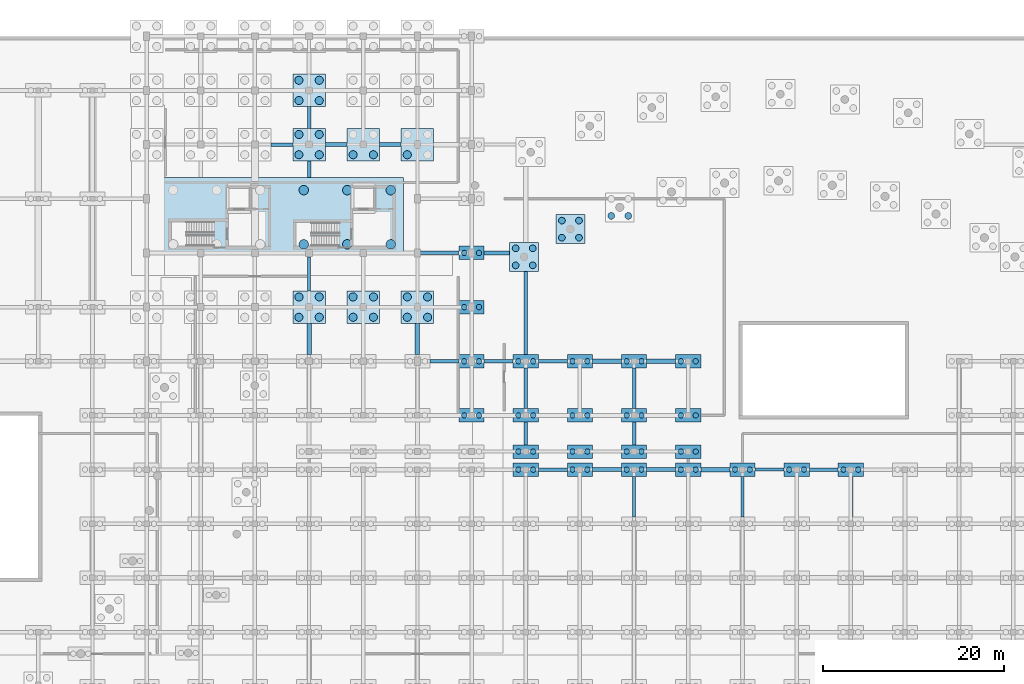
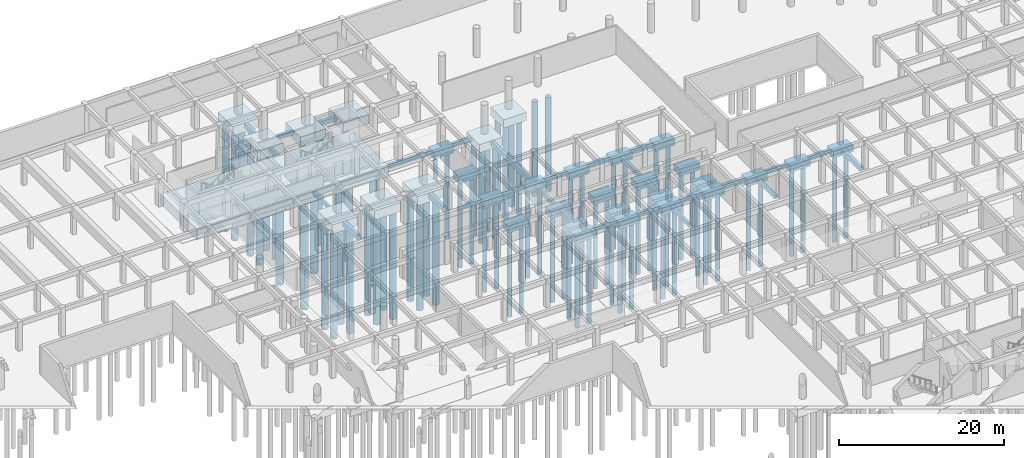
# One storey, part 8 of 41: 85 piles, 62 footings.
"""IFC4 building model written with IfcOpenShell, lengths in metres."""

from ifc_helpers import new_model, si_unit, direction, frame, origin, origin_2d, place, context, subcontext, project, spatial, polyline, rectangle, circle, outline, extrude, material, material_profile, profile_set, type_object, element, save


model = new_model("IFC4")

# Units and contexts
model_context = context("Model", 3, precision=1e-05, world=origin(), true_north=direction((0.0, 1.0)))
body_context = subcontext(model_context, "Body", "Model", "MODEL_VIEW")
ifc_project = project(units=[si_unit("LENGTHUNIT", "METRE"), si_unit("AREAUNIT", "SQUARE_METRE"), si_unit("VOLUMEUNIT", "CUBIC_METRE"), si_unit("PLANEANGLEUNIT", "RADIAN"), si_unit("MASSUNIT", "GRAM", prefix="KILO"), si_unit("POWERUNIT", "WATT"), si_unit("THERMODYNAMICTEMPERATUREUNIT", "KELVIN")], contexts=[model_context])

# Site, building, storey
site_placement = place(None, origin())
site = spatial("IfcSite", under=ifc_project, at=site_placement, CompositionType="ELEMENT")
building_placement = place(site_placement, origin())
building = spatial("IfcBuilding", under=site, at=building_placement, Name="Ruvembo Vaulted Housing Court", CompositionType="ELEMENT")
storey_placement = place(building_placement, frame((0.0, 0.0, -4.5)))
storey = spatial("IfcBuildingStorey", under=building, at=storey_placement, Name="B1", CompositionType="ELEMENT", Elevation=-4.5)

# Footings
ifc_material_1 = material(Name="Concrete C30/37", Category="concrete")
footing_type_1 = type_object("IfcFootingType", Name="GB-350x550", PredefinedType="FOOTING_BEAM", material=ifc_material_1)
footing_1_placement = place(storey_placement, frame((0.0, 0.0, -0.85009765625)))
element("IfcFooting", 1, at=footing_1_placement, inside=storey, type_object=footing_type_1, Name="Ground Tie Beam GB-126", PredefinedType="FOOTING_BEAM", context=body_context, shape_type="SweptSolid", body=[
    extrude(outline(polyline([(115.39990234375, 65.824951171875), (118.60009765625, 65.824951171875), (118.60009765625, 66.175048828125), (115.39990234375, 66.175048828125), (115.39990234375, 65.824951171875)])), origin(), (0.0, 0.0, 1.0), 0.550048828125),
])
footing_2_placement = place(storey_placement, frame((0.0, 0.0, -0.85009765625)))
element("IfcFooting", 2, at=footing_2_placement, inside=storey, type_object=footing_type_1, Name="Ground Tie Beam GB-240", PredefinedType="FOOTING_BEAM", context=body_context, shape_type="SweptSolid", body=[
    extrude(outline(polyline([(65.824951171875, 85.800048828125), (66.175048828125, 85.800048828125), (66.175048828125, 89.550048828125), (65.824951171875, 89.550048828125), (65.824951171875, 85.800048828125)])), origin(), (0.0, 0.0, 1.0), 0.550048828125),
])
footing_3_placement = place(storey_placement, frame((0.0, 0.0, -0.85009765625)))
element("IfcFooting", 3, at=footing_3_placement, inside=storey, type_object=footing_type_1, Name="Ground Tie Beam GB-270", PredefinedType="FOOTING_BEAM", context=body_context, shape_type="SweptSolid", body=[
    extrude(outline(polyline([(101.824951171875, 60.75), (102.175048828125, 60.75), (102.175048828125, 65.25), (101.824951171875, 65.25), (101.824951171875, 60.75)])), origin(), (0.0, 0.0, 1.0), 0.550048828125),
])
footing_4_placement = place(storey_placement, frame((0.0, 0.0, -0.85009765625)))
element("IfcFooting", 4, at=footing_4_placement, inside=storey, type_object=footing_type_1, Name="Ground Tie Beam GB-282", PredefinedType="FOOTING_BEAM", context=body_context, shape_type="SweptSolid", body=[
    extrude(outline(polyline([(113.824951171875, 60.75), (114.175048828125, 60.75), (114.175048828125, 65.25), (113.824951171875, 65.25), (113.824951171875, 60.75)])), origin(), (0.0, 0.0, 1.0), 0.550048828125),
])
footing_type_2 = type_object("IfcFootingType", Name="GB-380x580", PredefinedType="FOOTING_BEAM", material=ifc_material_1)
footing_5_placement = place(storey_placement, frame((0.0, 0.0, -0.8798828125)))
element("IfcFooting", 5, at=footing_5_placement, inside=storey, type_object=footing_type_2, Name="Ground Tie Beam GB-127", PredefinedType="FOOTING_BEAM", context=body_context, shape_type="SweptSolid", body=[
    extrude(outline(polyline([(121.39990234375, 65.81005859375), (124.60009765625, 65.81005859375), (124.60009765625, 66.18994140625), (121.39990234375, 66.18994140625), (121.39990234375, 65.81005859375)])), origin(), (0.0, 0.0, 1.0), 0.579833984375),
])
footing_6_placement = place(storey_placement, frame((0.0, 0.0, -0.8798828125)))
element("IfcFooting", 6, at=footing_6_placement, inside=storey, type_object=footing_type_2, Name="Ground Tie Beam GB-151", PredefinedType="FOOTING_BEAM", context=body_context, shape_type="SweptSolid", body=[
    extrude(outline(polyline([(79.39990234375, 77.81005859375), (82.60009765625, 77.81005859375), (82.60009765625, 78.18994140625), (79.39990234375, 78.18994140625), (79.39990234375, 77.81005859375)])), origin(), (0.0, 0.0, 1.0), 0.579833984375),
])
footing_7_placement = place(storey_placement, frame((0.0, 0.0, -0.8798828125)))
element("IfcFooting", 7, at=footing_7_placement, inside=storey, type_object=footing_type_2, Name="Ground Tie Beam GB-241", PredefinedType="FOOTING_BEAM", context=body_context, shape_type="SweptSolid", body=[
    extrude(outline(polyline([(65.81005859375, 98.35009765625), (66.18994140625, 98.35009765625), (66.18994140625, 100.199951171875), (65.81005859375, 100.199951171875), (65.81005859375, 98.35009765625)])), origin(), (0.0, 0.0, 1.0), 0.579833984375),
])
footing_8_placement = place(storey_placement, frame((0.0, 0.0, -0.8798828125)))
element("IfcFooting", 8, at=footing_8_placement, inside=storey, type_object=footing_type_2, Name="Ground Tie Beam GB-259", PredefinedType="FOOTING_BEAM", context=body_context, shape_type="SweptSolid", body=[
    extrude(outline(polyline([(89.81005859375, 68.75), (90.18994140625, 68.75), (90.18994140625, 71.25), (89.81005859375, 71.25), (89.81005859375, 68.75)])), origin(), (0.0, 0.0, 1.0), 0.579833984375),
])
footing_9_placement = place(storey_placement, frame((0.0, 0.0, -0.8798828125)))
element("IfcFooting", 9, at=footing_9_placement, inside=storey, type_object=footing_type_2, Name="Ground Tie Beam GB-271", PredefinedType="FOOTING_BEAM", context=body_context, shape_type="SweptSolid", body=[
    extrude(outline(polyline([(101.81005859375, 68.75), (102.18994140625, 68.75), (102.18994140625, 71.25), (101.81005859375, 71.25), (101.81005859375, 68.75)])), origin(), (0.0, 0.0, 1.0), 0.579833984375),
])
footing_type_3 = type_object("IfcFootingType", Name="GB-400x600", PredefinedType="FOOTING_BEAM", material=ifc_material_1)
footing_10_placement = place(storey_placement, frame((0.0, 0.0, -0.89990234375)))
element("IfcFooting", 10, at=footing_10_placement, inside=storey, type_object=footing_type_3, Name="Ground Tie Beam GB-122", PredefinedType="FOOTING_BEAM", context=body_context, shape_type="SweptSolid", body=[
    extrude(outline(polyline([(91.39990234375, 65.800048828125), (94.60009765625, 65.800048828125), (94.60009765625, 66.199951171875), (91.39990234375, 66.199951171875), (91.39990234375, 65.800048828125)])), origin(), (0.0, 0.0, 1.0), 0.599853515625),
])
footing_11_placement = place(storey_placement, frame((0.0, 0.0, -0.89990234375)))
element("IfcFooting", 11, at=footing_11_placement, inside=storey, type_object=footing_type_3, Name="Ground Tie Beam GB-152", PredefinedType="FOOTING_BEAM", context=body_context, shape_type="SweptSolid", body=[
    extrude(outline(polyline([(85.39990234375, 77.800048828125), (88.60009765625, 77.800048828125), (88.60009765625, 78.199951171875), (85.39990234375, 78.199951171875), (85.39990234375, 77.800048828125)])), origin(), (0.0, 0.0, 1.0), 0.599853515625),
])
footing_12_placement = place(storey_placement, frame((0.0, 0.0, -0.89990234375)))
element("IfcFooting", 12, at=footing_12_placement, inside=storey, type_object=footing_type_3, Name="Ground Tie Beam GB-164", PredefinedType="FOOTING_BEAM", context=body_context, shape_type="SweptSolid", body=[
    extrude(outline(polyline([(76.449951171875, 89.800048828125), (82.60009765625, 89.800048828125), (82.60009765625, 90.199951171875), (76.449951171875, 90.199951171875), (76.449951171875, 89.800048828125)])), origin(), (0.0, 0.0, 1.0), 0.599853515625),
])
footing_13_placement = place(storey_placement, frame((0.0, 0.0, -0.89990234375)))
element("IfcFooting", 13, at=footing_13_placement, inside=storey, type_object=footing_type_3, Name="Ground Tie Beam GB-170", PredefinedType="FOOTING_BEAM", context=body_context, shape_type="SweptSolid", body=[
    extrude(outline(polyline([(61.800048828125, 101.800048828125), (64.199951171875, 101.800048828125), (64.199951171875, 102.199951171875), (61.800048828125, 102.199951171875), (61.800048828125, 101.800048828125)])), origin(), (0.0, 0.0, 1.0), 0.599853515625),
])
footing_14_placement = place(storey_placement, frame((0.0, 0.0, -0.89990234375)))
element("IfcFooting", 14, at=footing_14_placement, inside=storey, type_object=footing_type_3, Name="Ground Tie Beam GB-242", PredefinedType="FOOTING_BEAM", context=body_context, shape_type="SweptSolid", body=[
    extrude(outline(polyline([(65.800048828125, 103.800048828125), (66.199951171875, 103.800048828125), (66.199951171875, 106.199951171875), (65.800048828125, 106.199951171875), (65.800048828125, 103.800048828125)])), origin(), (0.0, 0.0, 1.0), 0.599853515625),
])
footing_15_placement = place(storey_placement, frame((0.0, 0.0, -0.89990234375)))
element("IfcFooting", 15, at=footing_15_placement, inside=storey, type_object=footing_type_3, Name="Ground Tie Beam GB-260", PredefinedType="FOOTING_BEAM", context=body_context, shape_type="SweptSolid", body=[
    extrude(outline(polyline([(89.800048828125, 72.75), (90.199951171875, 72.75), (90.199951171875, 77.25), (89.800048828125, 77.25), (89.800048828125, 72.75)])), origin(), (0.0, 0.0, 1.0), 0.599853515625),
])
footing_16_placement = place(storey_placement, frame((0.0, 0.0, -0.89990234375)))
element("IfcFooting", 16, at=footing_16_placement, inside=storey, type_object=footing_type_3, Name="Ground Tie Beam GB-272", PredefinedType="FOOTING_BEAM", context=body_context, shape_type="SweptSolid", body=[
    extrude(outline(polyline([(101.800048828125, 72.75), (102.199951171875, 72.75), (102.199951171875, 77.25), (101.800048828125, 77.25), (101.800048828125, 72.75)])), origin(), (0.0, 0.0, 1.0), 0.599853515625),
])
footing_type_4 = type_object("IfcFootingType", Name="GB-420x620", PredefinedType="FOOTING_BEAM", material=ifc_material_1)
footing_17_placement = place(storey_placement, frame((0.0, 0.0, -0.919921875)))
element("IfcFooting", 17, at=footing_17_placement, inside=storey, type_object=footing_type_4, Name="Ground Tie Beam GB-123", PredefinedType="FOOTING_BEAM", context=body_context, shape_type="SweptSolid", body=[
    extrude(outline(polyline([(97.39990234375, 65.7900390625), (100.60009765625, 65.7900390625), (100.60009765625, 66.2099609375), (97.39990234375, 66.2099609375), (97.39990234375, 65.7900390625)])), origin(), (0.0, 0.0, 1.0), 0.619873046875),
])
footing_18_placement = place(storey_placement, frame((0.0, 0.0, -0.919921875)))
element("IfcFooting", 18, at=footing_18_placement, inside=storey, type_object=footing_type_4, Name="Ground Tie Beam GB-153", PredefinedType="FOOTING_BEAM", context=body_context, shape_type="SweptSolid", body=[
    extrude(outline(polyline([(91.39990234375, 77.7900390625), (94.60009765625, 77.7900390625), (94.60009765625, 78.2099609375), (91.39990234375, 78.2099609375), (91.39990234375, 77.7900390625)])), origin(), (0.0, 0.0, 1.0), 0.619873046875),
])
footing_19_placement = place(storey_placement, frame((0.0, 0.0, -0.919921875)))
element("IfcFooting", 19, at=footing_19_placement, inside=storey, type_object=footing_type_4, Name="Ground Tie Beam GB-165", PredefinedType="FOOTING_BEAM", context=body_context, shape_type="SweptSolid", body=[
    extrude(outline(polyline([(85.39990234375, 89.7900390625), (88.2216796875, 89.7900390625), (88.2216796875, 90.2099609375), (85.39990234375, 90.2099609375), (85.39990234375, 89.7900390625)])), origin(), (0.0, 0.0, 1.0), 0.619873046875),
])
footing_20_placement = place(storey_placement, frame((0.0, 0.0, -0.919921875)))
element("IfcFooting", 20, at=footing_20_placement, inside=storey, type_object=footing_type_4, Name="Ground Tie Beam GB-171", PredefinedType="FOOTING_BEAM", context=body_context, shape_type="SweptSolid", body=[
    extrude(outline(polyline([(67.800048828125, 101.7900390625), (70.199951171875, 101.7900390625), (70.199951171875, 102.2099609375), (67.800048828125, 102.2099609375), (67.800048828125, 101.7900390625)])), origin(), (0.0, 0.0, 1.0), 0.619873046875),
])
footing_21_placement = place(storey_placement, frame((0.0, 0.0, -0.919921875)))
element("IfcFooting", 21, at=footing_21_placement, inside=storey, type_object=footing_type_4, Name="Ground Tie Beam GB-261", PredefinedType="FOOTING_BEAM", context=body_context, shape_type="SweptSolid", body=[
    extrude(outline(polyline([(89.7900390625, 78.75), (90.2099609375, 78.75), (90.2099609375, 87.964599609375), (89.7900390625, 87.964599609375), (89.7900390625, 78.75)])), origin(), (0.0, 0.0, 1.0), 0.619873046875),
])
footing_type_5 = type_object("IfcFootingType", Name="GB-450x650", PredefinedType="FOOTING_BEAM", material=ifc_material_1)
footing_22_placement = place(storey_placement, frame((0.0, 0.0, -0.949951171875)))
element("IfcFooting", 22, at=footing_22_placement, inside=storey, type_object=footing_type_5, Name="Ground Tie Beam GB-124", PredefinedType="FOOTING_BEAM", context=body_context, shape_type="SweptSolid", body=[
    extrude(outline(polyline([(103.39990234375, 65.77490234375), (106.60009765625, 65.77490234375), (106.60009765625, 66.22509765625), (103.39990234375, 66.22509765625), (103.39990234375, 65.77490234375)])), origin(), (0.0, 0.0, 1.0), 0.64990234375),
])
footing_23_placement = place(storey_placement, frame((0.0, 0.0, -0.949951171875)))
element("IfcFooting", 23, at=footing_23_placement, inside=storey, type_object=footing_type_5, Name="Ground Tie Beam GB-154", PredefinedType="FOOTING_BEAM", context=body_context, shape_type="SweptSolid", body=[
    extrude(outline(polyline([(97.39990234375, 77.77490234375), (100.60009765625, 77.77490234375), (100.60009765625, 78.22509765625), (97.39990234375, 78.22509765625), (97.39990234375, 77.77490234375)])), origin(), (0.0, 0.0, 1.0), 0.64990234375),
])
footing_24_placement = place(storey_placement, frame((0.0, 0.0, -0.949951171875)))
element("IfcFooting", 24, at=footing_24_placement, inside=storey, type_object=footing_type_5, Name="Ground Tie Beam GB-172", PredefinedType="FOOTING_BEAM", context=body_context, shape_type="SweptSolid", body=[
    extrude(outline(polyline([(73.800048828125, 101.77490234375), (76.199951171875, 101.77490234375), (76.199951171875, 102.22509765625), (73.800048828125, 102.22509765625), (73.800048828125, 101.77490234375)])), origin(), (0.0, 0.0, 1.0), 0.64990234375),
])
footing_25_placement = place(storey_placement, frame((0.0, 0.0, -0.949951171875)))
element("IfcFooting", 25, at=footing_25_placement, inside=storey, type_object=footing_type_5, Name="Ground Tie Beam GB-292", PredefinedType="FOOTING_BEAM", context=body_context, shape_type="SweptSolid", body=[
    extrude(outline(polyline([(125.77490234375, 60.75), (126.22509765625, 60.75), (126.22509765625, 65.25), (125.77490234375, 65.25), (125.77490234375, 60.75)])), origin(), (0.0, 0.0, 1.0), 0.64990234375),
])
footing_type_6 = type_object("IfcFootingType", Name="GB-500x700", PredefinedType="FOOTING_BEAM", material=ifc_material_1)
footing_26_placement = place(storey_placement, frame((0.0, 0.0, -1.0)))
element("IfcFooting", 26, at=footing_26_placement, inside=storey, type_object=footing_type_6, Name="Ground Tie Beam GB-125", PredefinedType="FOOTING_BEAM", context=body_context, shape_type="SweptSolid", body=[
    extrude(outline(polyline([(109.39990234375, 65.75), (112.60009765625, 65.75), (112.60009765625, 66.25), (109.39990234375, 66.25), (109.39990234375, 65.75)])), origin(), (0.0, 0.0, 1.0), 0.699951171875),
])
footing_27_placement = place(storey_placement, frame((0.0, 0.0, -1.0)))
element("IfcFooting", 27, at=footing_27_placement, inside=storey, type_object=footing_type_6, Name="Ground Tie Beam GB-155", PredefinedType="FOOTING_BEAM", context=body_context, shape_type="SweptSolid", body=[
    extrude(outline(polyline([(103.39990234375, 77.75), (106.60009765625, 77.75), (106.60009765625, 78.25), (103.39990234375, 78.25), (103.39990234375, 77.75)])), origin(), (0.0, 0.0, 1.0), 0.699951171875),
])
footing_28_placement = place(storey_placement, frame((0.0, 0.0, -1.0)))
element("IfcFooting", 28, at=footing_28_placement, inside=storey, type_object=footing_type_6, Name="Ground Tie Beam GB-239", PredefinedType="FOOTING_BEAM", context=body_context, shape_type="SweptSolid", body=[
    extrude(outline(polyline([(65.75, 78.75), (66.25, 78.75), (66.25, 82.199951171875), (65.75, 82.199951171875), (65.75, 78.75)])), origin(), (0.0, 0.0, 1.0), 0.699951171875),
])
footing_29_placement = place(storey_placement, frame((0.0, 0.0, -1.0)))
element("IfcFooting", 29, at=footing_29_placement, inside=storey, type_object=footing_type_6, Name="Ground Tie Beam GB-251", PredefinedType="FOOTING_BEAM", context=body_context, shape_type="SweptSolid", body=[
    extrude(outline(polyline([(77.75, 78.75), (78.25, 78.75), (78.25, 82.199951171875), (77.75, 82.199951171875), (77.75, 78.75)])), origin(), (0.0, 0.0, 1.0), 0.699951171875),
])
ifc_material_2 = material(Name="Concrete C35/45", Category="concrete")
footing_type_7 = type_object("IfcFootingType", Name="PC-2P-A", PredefinedType="PILE_CAP", material=ifc_material_2)
for number, where, z_axis, x_axis, name in (
    (30, (84.0, 72.0, -1.300048828125), (0.0, 0.0, 1.0), (1.0, 0.0, 0.0), "Pile Cap PC1 #176"),
    (31, (84.0, 78.0, -1.300048828125), (0.0, 0.0, 1.0), (1.0, 0.0, 0.0), "Pile Cap PC1 #177"),
    (32, (84.0, 84.0, -1.300048828125), (0.0, 0.0, 1.0), (1.0, 0.0, 0.0), "Pile Cap PC1 #178"),
    (33, (84.0, 90.0, -1.300048828125), (0.0, 0.0, 1.0), (1.0, 0.0, 0.0), "Pile Cap PC1 #179"),
    (34, (90.0, 66.0, -1.300048828125), (0.0, 0.0, 1.0), (1.0, 0.0, 0.0), "Pile Cap PC1 #189"),
    (35, (90.0, 68.0, -1.300048828125), (0.0, 0.0, 1.0), (1.0, 0.0, 0.0), "Pile Cap PC1 #190"),
    (36, (90.0, 72.0, -1.300048828125), (0.0, 0.0, 1.0), (1.0, 0.0, 0.0), "Pile Cap PC1 #191"),
    (37, (90.0, 78.0, -1.300048828125), (0.0, 0.0, 1.0), (1.0, 0.0, 0.0), "Pile Cap PC1 #192"),
    (38, (96.0, 66.0, -1.300048828125), (0.0, 0.0, 1.0), (1.0, 0.0, 0.0), "Pile Cap PC1 #198"),
    (39, (96.0, 68.0, -1.300048828125), (0.0, 0.0, 1.0), (1.0, 0.0, 0.0), "Pile Cap PC1 #199"),
    (40, (96.0, 72.0, -1.300048828125), (0.0, 0.0, 1.0), (1.0, 0.0, 0.0), "Pile Cap PC1 #200"),
    (41, (96.0, 78.0, -1.300048828125), (0.0, 0.0, 1.0), (1.0, 0.0, 0.0), "Pile Cap PC1 #201"),
    (42, (102.0, 66.0, -1.300048828125), (0.0, 0.0, 1.0), (1.0, 0.0, 0.0), "Pile Cap PC1 #211"),
    (43, (102.0, 68.0, -1.300048828125), (0.0, 0.0, 1.0), (1.0, 0.0, 0.0), "Pile Cap PC1 #212"),
    (44, (102.0, 72.0, -1.300048828125), (0.0, 0.0, 1.0), (1.0, 0.0, 0.0), "Pile Cap PC1 #213"),
    (45, (102.0, 78.0, -1.300048828125), (0.0, 0.0, 1.0), (1.0, 0.0, 0.0), "Pile Cap PC1 #214"),
    (46, (108.0, 66.0, -1.300048828125), (0.0, 0.0, 1.0), (1.0, 0.0, 0.0), "Pile Cap PC1 #224"),
    (47, (108.0, 68.0, -1.300048828125), (0.0, 0.0, 1.0), (1.0, 0.0, 0.0), "Pile Cap PC1 #225"),
    (48, (108.0, 72.0, -1.300048828125), (0.0, 0.0, 1.0), (1.0, 0.0, 0.0), "Pile Cap PC1 #226"),
    (49, (108.0, 78.0, -1.300048828125), (0.0, 0.0, 1.0), (1.0, 0.0, 0.0), "Pile Cap PC1 #227"),
    (50, (114.0, 66.0, -1.300048828125), (0.0, 0.0, 1.0), (1.0, 0.0, 0.0), "Pile Cap PC1 #237"),
    (51, (120.0, 66.0, -1.300048828125), (0.0, 0.0, 1.0), (1.0, 0.0, 0.0), "Pile Cap PC1 #247"),
    (52, (126.0, 66.0, -1.300048828125), (0.0, 0.0, 1.0), (1.0, 0.0, 0.0), "Pile Cap PC1 #257"),
):
    element("IfcFooting", number, at=place(storey_placement, frame(where, z_axis=z_axis, x_axis=x_axis)), inside=storey, type_object=footing_type_7, Name=name, PredefinedType="PILE_CAP", context=body_context, shape_type="SweptSolid", body=[
        extrude(rectangle(XDim=2.800048828125, YDim=1.5, at=origin_2d()), origin(), (0.0, 0.0, 1.0), 1.0),
    ])
footing_type_8 = type_object("IfcFootingType", Name="PC-4P-A", PredefinedType="PILE_CAP", material=ifc_material_2)
for number, where, z_axis, x_axis, name in (
    (53, (89.82177734375, 89.564453125, -1.5), (0.0, 0.0, 1.0), (1.0, 0.0, 0.0), "Pile Cap PC4 #423"),
    (54, (94.946533203125, 92.6337890625, -1.5), (0.0, 0.0, 1.0), (1.0, 0.0, 0.0), "Pile Cap PC4 #424"),
):
    element("IfcFooting", number, at=place(storey_placement, frame(where, z_axis=z_axis, x_axis=x_axis)), inside=storey, type_object=footing_type_8, Name=name, PredefinedType="PILE_CAP", context=body_context, shape_type="SweptSolid", body=[
        extrude(rectangle(XDim=3.199951171875, YDim=3.199951171875, at=origin_2d()), origin(), (0.0, 0.0, 1.0), 1.199951171875),
    ])
footing_type_9 = type_object("IfcFootingType", Name="PC-4P-C", PredefinedType="PILE_CAP", material=ifc_material_2)
for number, where, z_axis, x_axis, name in (
    (55, (66.0, 84.0, -1.650146484375), (0.0, 0.0, 1.0), (1.0, 0.0, 0.0), "Pile Cap PC6 #141"),
    (56, (66.0, 102.0, -1.650146484375), (0.0, 0.0, 1.0), (1.0, 0.0, 0.0), "Pile Cap PC6 #142"),
    (57, (66.0, 108.0, -1.650146484375), (0.0, 0.0, 1.0), (1.0, 0.0, 0.0), "Pile Cap PC6 #143"),
    (58, (72.0, 84.0, -1.650146484375), (0.0, 0.0, 1.0), (1.0, 0.0, 0.0), "Pile Cap PC6 #153"),
    (59, (72.0, 102.0, -1.650146484375), (0.0, 0.0, 1.0), (1.0, 0.0, 0.0), "Pile Cap PC6 #154"),
    (60, (78.0, 84.0, -1.650146484375), (0.0, 0.0, 1.0), (1.0, 0.0, 0.0), "Pile Cap PC6 #165"),
    (61, (78.0, 102.0, -1.650146484375), (0.0, 0.0, 1.0), (1.0, 0.0, 0.0), "Pile Cap PC6 #166"),
):
    element("IfcFooting", number, at=place(storey_placement, frame(where, z_axis=z_axis, x_axis=x_axis)), inside=storey, type_object=footing_type_9, Name=name, PredefinedType="PILE_CAP", context=body_context, shape_type="SweptSolid", body=[
        extrude(rectangle(XDim=3.60009765625, YDim=3.60009765625, at=origin_2d()), origin(), (0.0, 0.0, 1.0), 1.35009765625),
    ])
footing_type_10 = type_object("IfcFootingType", Name="PC-MAT-B", PredefinedType="PILE_CAP", material=ifc_material_2)
footing_30_placement = place(storey_placement, frame((63.0, 93.949951171875, -1.85009765625), z_axis=(0.0, 0.0, 1.0), x_axis=(1.0, 0.0, 0.0)))
element("IfcFooting", 62, at=footing_30_placement, inside=storey, type_object=footing_type_10, Name="Core Pile Cap PCM-B", PredefinedType="PILE_CAP", context=body_context, shape_type="SweptSolid", body=[
    extrude(rectangle(XDim=26.89990234375, YDim=8.800048828125, at=origin_2d()), origin(), (0.0, 0.0, 1.0), 1.550048828125),
])

# Piles
ifc_material_profile_1 = material_profile(ifc_material_1, circle(Radius=0.52490234375, at=origin_2d()), Name="PILE D1050")
ifc_profile_set_1 = profile_set([ifc_material_profile_1], Name="Concrete C30/37")
pile_type_1 = type_object("IfcPileType", Name="PILE-BORED-1050", PredefinedType="BORED", material=ifc_profile_set_1)
for number, where, z_axis, x_axis, name in (
    (63, (65.409912109375, 90.949951171875, -1.75), (0.0, 0.0, -1.0), (1.0, 0.0, 0.0), "Bored Pile PILE-0019"),
    (64, (65.409912109375, 96.949951171875, -1.75), (0.0, 0.0, -1.0), (1.0, 0.0, 0.0), "Bored Pile PILE-0020"),
    (65, (70.22998046875, 90.949951171875, -1.75), (0.0, 0.0, -1.0), (1.0, 0.0, 0.0), "Bored Pile PILE-0021"),
    (66, (70.22998046875, 96.949951171875, -1.75), (0.0, 0.0, -1.0), (1.0, 0.0, 0.0), "Bored Pile PILE-0022"),
    (67, (75.050048828125, 90.949951171875, -1.75), (0.0, 0.0, -1.0), (1.0, 0.0, 0.0), "Bored Pile PILE-0023"),
    (68, (75.050048828125, 96.949951171875, -1.75), (0.0, 0.0, -1.0), (1.0, 0.0, 0.0), "Bored Pile PILE-0024"),
):
    element("IfcPile", number, at=place(storey_placement, frame(where, z_axis=z_axis, x_axis=x_axis)), inside=storey, type_object=pile_type_1, Name=name, PredefinedType="BORED", context=body_context, shape_type="SweptSolid", body=[
        extrude(circle(Radius=0.52490234375, at=origin_2d()), origin(), (0.0, 0.0, 1.0), 16.5),
    ])
ifc_material_profile_2 = material_profile(ifc_material_1, circle(Radius=0.300048828125, at=origin_2d()), Name="PILE D600")
ifc_profile_set_2 = profile_set([ifc_material_profile_2], Name="Concrete C30/37")
pile_type_2 = type_object("IfcPileType", Name="PILE-BORED-600", PredefinedType="BORED", material=ifc_profile_set_2)
for number, where, z_axis, x_axis, name in (
    (69, (83.179931640625, 72.0, -1.199951171875), (0.0, 0.0, -1.0), (1.0, 0.0, 0.0), "Bored Pile PILE-0501"),
    (70, (84.820068359375, 72.0, -1.199951171875), (0.0, 0.0, -1.0), (1.0, 0.0, 0.0), "Bored Pile PILE-0502"),
    (71, (83.179931640625, 78.0, -1.199951171875), (0.0, 0.0, -1.0), (1.0, 0.0, 0.0), "Bored Pile PILE-0503"),
    (72, (84.820068359375, 78.0, -1.199951171875), (0.0, 0.0, -1.0), (1.0, 0.0, 0.0), "Bored Pile PILE-0504"),
    (73, (83.179931640625, 84.0, -1.199951171875), (0.0, 0.0, -1.0), (1.0, 0.0, 0.0), "Bored Pile PILE-0505"),
    (74, (84.820068359375, 84.0, -1.199951171875), (0.0, 0.0, -1.0), (1.0, 0.0, 0.0), "Bored Pile PILE-0506"),
    (75, (83.179931640625, 90.0, -1.199951171875), (0.0, 0.0, -1.0), (1.0, 0.0, 0.0), "Bored Pile PILE-0507"),
    (76, (84.820068359375, 90.0, -1.199951171875), (0.0, 0.0, -1.0), (1.0, 0.0, 0.0), "Bored Pile PILE-0508"),
    (77, (89.179931640625, 66.0, -1.199951171875), (0.0, 0.0, -1.0), (1.0, 0.0, 0.0), "Bored Pile PILE-0527"),
    (78, (90.820068359375, 66.0, -1.199951171875), (0.0, 0.0, -1.0), (1.0, 0.0, 0.0), "Bored Pile PILE-0528"),
    (79, (89.179931640625, 68.0, -1.199951171875), (0.0, 0.0, -1.0), (1.0, 0.0, 0.0), "Bored Pile PILE-0529"),
    (80, (90.820068359375, 68.0, -1.199951171875), (0.0, 0.0, -1.0), (1.0, 0.0, 0.0), "Bored Pile PILE-0530"),
    (81, (89.179931640625, 72.0, -1.199951171875), (0.0, 0.0, -1.0), (1.0, 0.0, 0.0), "Bored Pile PILE-0531"),
    (82, (90.820068359375, 72.0, -1.199951171875), (0.0, 0.0, -1.0), (1.0, 0.0, 0.0), "Bored Pile PILE-0532"),
    (83, (89.179931640625, 78.0, -1.199951171875), (0.0, 0.0, -1.0), (1.0, 0.0, 0.0), "Bored Pile PILE-0533"),
    (84, (90.820068359375, 78.0, -1.199951171875), (0.0, 0.0, -1.0), (1.0, 0.0, 0.0), "Bored Pile PILE-0534"),
    (85, (95.179931640625, 66.0, -1.199951171875), (0.0, 0.0, -1.0), (1.0, 0.0, 0.0), "Bored Pile PILE-0545"),
    (86, (96.820068359375, 66.0, -1.199951171875), (0.0, 0.0, -1.0), (1.0, 0.0, 0.0), "Bored Pile PILE-0546"),
    (87, (95.179931640625, 68.0, -1.199951171875), (0.0, 0.0, -1.0), (1.0, 0.0, 0.0), "Bored Pile PILE-0547"),
    (88, (96.820068359375, 68.0, -1.199951171875), (0.0, 0.0, -1.0), (1.0, 0.0, 0.0), "Bored Pile PILE-0548"),
    (89, (95.179931640625, 72.0, -1.199951171875), (0.0, 0.0, -1.0), (1.0, 0.0, 0.0), "Bored Pile PILE-0549"),
    (90, (96.820068359375, 72.0, -1.199951171875), (0.0, 0.0, -1.0), (1.0, 0.0, 0.0), "Bored Pile PILE-0550"),
    (91, (95.179931640625, 78.0, -1.199951171875), (0.0, 0.0, -1.0), (1.0, 0.0, 0.0), "Bored Pile PILE-0551"),
    (92, (96.820068359375, 78.0, -1.199951171875), (0.0, 0.0, -1.0), (1.0, 0.0, 0.0), "Bored Pile PILE-0552"),
    (93, (101.179931640625, 66.0, -1.199951171875), (0.0, 0.0, -1.0), (1.0, 0.0, 0.0), "Bored Pile PILE-0581"),
    (94, (102.820068359375, 66.0, -1.199951171875), (0.0, 0.0, -1.0), (1.0, 0.0, 0.0), "Bored Pile PILE-0582"),
    (95, (101.179931640625, 68.0, -1.199951171875), (0.0, 0.0, -1.0), (1.0, 0.0, 0.0), "Bored Pile PILE-0583"),
    (96, (102.820068359375, 68.0, -1.199951171875), (0.0, 0.0, -1.0), (1.0, 0.0, 0.0), "Bored Pile PILE-0584"),
    (97, (101.179931640625, 72.0, -1.199951171875), (0.0, 0.0, -1.0), (1.0, 0.0, 0.0), "Bored Pile PILE-0585"),
    (98, (102.820068359375, 72.0, -1.199951171875), (0.0, 0.0, -1.0), (1.0, 0.0, 0.0), "Bored Pile PILE-0586"),
    (99, (101.179931640625, 78.0, -1.199951171875), (0.0, 0.0, -1.0), (1.0, 0.0, 0.0), "Bored Pile PILE-0587"),
    (100, (102.820068359375, 78.0, -1.199951171875), (0.0, 0.0, -1.0), (1.0, 0.0, 0.0), "Bored Pile PILE-0588"),
    (101, (107.179931640625, 66.0, -1.199951171875), (0.0, 0.0, -1.0), (1.0, 0.0, 0.0), "Bored Pile PILE-0617"),
    (102, (108.820068359375, 66.0, -1.199951171875), (0.0, 0.0, -1.0), (1.0, 0.0, 0.0), "Bored Pile PILE-0618"),
    (103, (107.179931640625, 68.0, -1.199951171875), (0.0, 0.0, -1.0), (1.0, 0.0, 0.0), "Bored Pile PILE-0619"),
    (104, (108.820068359375, 68.0, -1.199951171875), (0.0, 0.0, -1.0), (1.0, 0.0, 0.0), "Bored Pile PILE-0620"),
    (105, (107.179931640625, 72.0, -1.199951171875), (0.0, 0.0, -1.0), (1.0, 0.0, 0.0), "Bored Pile PILE-0621"),
    (106, (108.820068359375, 72.0, -1.199951171875), (0.0, 0.0, -1.0), (1.0, 0.0, 0.0), "Bored Pile PILE-0622"),
    (107, (107.179931640625, 78.0, -1.199951171875), (0.0, 0.0, -1.0), (1.0, 0.0, 0.0), "Bored Pile PILE-0623"),
    (108, (108.820068359375, 78.0, -1.199951171875), (0.0, 0.0, -1.0), (1.0, 0.0, 0.0), "Bored Pile PILE-0624"),
    (109, (113.179931640625, 66.0, -1.199951171875), (0.0, 0.0, -1.0), (1.0, 0.0, 0.0), "Bored Pile PILE-0653"),
    (110, (114.820068359375, 66.0, -1.199951171875), (0.0, 0.0, -1.0), (1.0, 0.0, 0.0), "Bored Pile PILE-0654"),
    (111, (119.179931640625, 66.0, -1.199951171875), (0.0, 0.0, -1.0), (1.0, 0.0, 0.0), "Bored Pile PILE-0683"),
    (112, (120.820068359375, 66.0, -1.199951171875), (0.0, 0.0, -1.0), (1.0, 0.0, 0.0), "Bored Pile PILE-0684"),
    (113, (125.179931640625, 66.0, -1.199951171875), (0.0, 0.0, -1.0), (1.0, 0.0, 0.0), "Bored Pile PILE-0713"),
    (114, (126.820068359375, 66.0, -1.199951171875), (0.0, 0.0, -1.0), (1.0, 0.0, 0.0), "Bored Pile PILE-0714"),
):
    element("IfcPile", number, at=place(storey_placement, frame(where, z_axis=z_axis, x_axis=x_axis)), inside=storey, type_object=pile_type_2, Name=name, PredefinedType="BORED", context=body_context, shape_type="SweptSolid", body=[
        extrude(circle(Radius=0.300048828125, at=origin_2d()), origin(), (0.0, 0.0, 1.0), 13.0),
    ])
ifc_material_profile_3 = material_profile(ifc_material_1, circle(Radius=0.375, at=origin_2d()), Name="PILE D750")
ifc_profile_set_3 = profile_set([ifc_material_profile_3], Name="Concrete C30/37")
pile_type_3 = type_object("IfcPileType", Name="PILE-BORED-750", PredefinedType="BORED", material=ifc_profile_set_3)
for number, where, z_axis, x_axis, name in (
    (115, (88.876708984375, 88.619384765625, -1.39990234375), (0.0, 0.0, -1.0), (1.0, 0.0, 0.0), "Bored Pile PILE-1163"),
    (116, (90.766845703125, 88.619384765625, -1.39990234375), (0.0, 0.0, -1.0), (1.0, 0.0, 0.0), "Bored Pile PILE-1164"),
    (117, (88.876708984375, 90.509521484375, -1.39990234375), (0.0, 0.0, -1.0), (1.0, 0.0, 0.0), "Bored Pile PILE-1165"),
    (118, (90.766845703125, 90.509521484375, -1.39990234375), (0.0, 0.0, -1.0), (1.0, 0.0, 0.0), "Bored Pile PILE-1166"),
    (119, (94.001708984375, 91.68896484375, -1.39990234375), (0.0, 0.0, -1.0), (1.0, 0.0, 0.0), "Bored Pile PILE-1167"),
    (120, (95.8916015625, 91.68896484375, -1.39990234375), (0.0, 0.0, -1.0), (1.0, 0.0, 0.0), "Bored Pile PILE-1168"),
    (121, (94.001708984375, 93.578857421875, -1.39990234375), (0.0, 0.0, -1.0), (1.0, 0.0, 0.0), "Bored Pile PILE-1169"),
    (122, (95.8916015625, 93.578857421875, -1.39990234375), (0.0, 0.0, -1.0), (1.0, 0.0, 0.0), "Bored Pile PILE-1170"),
    (123, (99.468017578125, 94.097900390625, -1.39990234375), (0.0, 0.0, -1.0), (1.0, 0.0, 0.0), "Bored Pile PILE-1175"),
    (124, (101.35791015625, 94.097900390625, -1.39990234375), (0.0, 0.0, -1.0), (1.0, 0.0, 0.0), "Bored Pile PILE-1176"),
):
    element("IfcPile", number, at=place(storey_placement, frame(where, z_axis=z_axis, x_axis=x_axis)), inside=storey, type_object=pile_type_3, Name=name, PredefinedType="BORED", context=body_context, shape_type="SweptSolid", body=[
        extrude(circle(Radius=0.375, at=origin_2d()), origin(), (0.0, 0.0, 1.0), 14.0),
    ])
ifc_material_profile_4 = material_profile(ifc_material_1, circle(Radius=0.449951171875, at=origin_2d()), Name="PILE D900")
ifc_profile_set_4 = profile_set([ifc_material_profile_4], Name="Concrete C30/37")
pile_type_4 = type_object("IfcPileType", Name="PILE-BORED-900", PredefinedType="BORED", material=ifc_profile_set_4)
for number, where, z_axis, x_axis, name in (
    (125, (64.875, 82.875, -1.550048828125), (0.0, 0.0, -1.0), (1.0, 0.0, 0.0), "Bored Pile PILE-0407"),
    (126, (67.125, 82.875, -1.550048828125), (0.0, 0.0, -1.0), (1.0, 0.0, 0.0), "Bored Pile PILE-0408"),
    (127, (64.875, 85.125, -1.550048828125), (0.0, 0.0, -1.0), (1.0, 0.0, 0.0), "Bored Pile PILE-0409"),
    (128, (67.125, 85.125, -1.550048828125), (0.0, 0.0, -1.0), (1.0, 0.0, 0.0), "Bored Pile PILE-0410"),
    (129, (64.875, 100.875, -1.550048828125), (0.0, 0.0, -1.0), (1.0, 0.0, 0.0), "Bored Pile PILE-0411"),
    (130, (67.125, 100.875, -1.550048828125), (0.0, 0.0, -1.0), (1.0, 0.0, 0.0), "Bored Pile PILE-0412"),
    (131, (64.875, 103.125, -1.550048828125), (0.0, 0.0, -1.0), (1.0, 0.0, 0.0), "Bored Pile PILE-0413"),
    (132, (67.125, 103.125, -1.550048828125), (0.0, 0.0, -1.0), (1.0, 0.0, 0.0), "Bored Pile PILE-0414"),
    (133, (64.875, 106.875, -1.550048828125), (0.0, 0.0, -1.0), (1.0, 0.0, 0.0), "Bored Pile PILE-0415"),
    (134, (67.125, 106.875, -1.550048828125), (0.0, 0.0, -1.0), (1.0, 0.0, 0.0), "Bored Pile PILE-0416"),
    (135, (64.875, 109.125, -1.550048828125), (0.0, 0.0, -1.0), (1.0, 0.0, 0.0), "Bored Pile PILE-0417"),
    (136, (67.125, 109.125, -1.550048828125), (0.0, 0.0, -1.0), (1.0, 0.0, 0.0), "Bored Pile PILE-0418"),
    (137, (70.875, 82.875, -1.550048828125), (0.0, 0.0, -1.0), (1.0, 0.0, 0.0), "Bored Pile PILE-0439"),
    (138, (73.125, 82.875, -1.550048828125), (0.0, 0.0, -1.0), (1.0, 0.0, 0.0), "Bored Pile PILE-0440"),
    (139, (70.875, 85.125, -1.550048828125), (0.0, 0.0, -1.0), (1.0, 0.0, 0.0), "Bored Pile PILE-0441"),
    (140, (73.125, 85.125, -1.550048828125), (0.0, 0.0, -1.0), (1.0, 0.0, 0.0), "Bored Pile PILE-0442"),
    (141, (70.875, 100.875, -1.550048828125), (0.0, 0.0, -1.0), (1.0, 0.0, 0.0), "Bored Pile PILE-0443"),
    (142, (73.125, 100.875, -1.550048828125), (0.0, 0.0, -1.0), (1.0, 0.0, 0.0), "Bored Pile PILE-0444"),
    (143, (76.875, 82.875, -1.550048828125), (0.0, 0.0, -1.0), (1.0, 0.0, 0.0), "Bored Pile PILE-0471"),
    (144, (79.125, 82.875, -1.550048828125), (0.0, 0.0, -1.0), (1.0, 0.0, 0.0), "Bored Pile PILE-0472"),
    (145, (76.875, 85.125, -1.550048828125), (0.0, 0.0, -1.0), (1.0, 0.0, 0.0), "Bored Pile PILE-0473"),
    (146, (79.125, 85.125, -1.550048828125), (0.0, 0.0, -1.0), (1.0, 0.0, 0.0), "Bored Pile PILE-0474"),
    (147, (76.875, 100.875, -1.550048828125), (0.0, 0.0, -1.0), (1.0, 0.0, 0.0), "Bored Pile PILE-0475"),
):
    element("IfcPile", number, at=place(storey_placement, frame(where, z_axis=z_axis, x_axis=x_axis)), inside=storey, type_object=pile_type_4, Name=name, PredefinedType="BORED", context=body_context, shape_type="SweptSolid", body=[
        extrude(circle(Radius=0.449951171875, at=origin_2d()), origin(), (0.0, 0.0, 1.0), 16.0),
    ])

save(model, "model.ifc")
